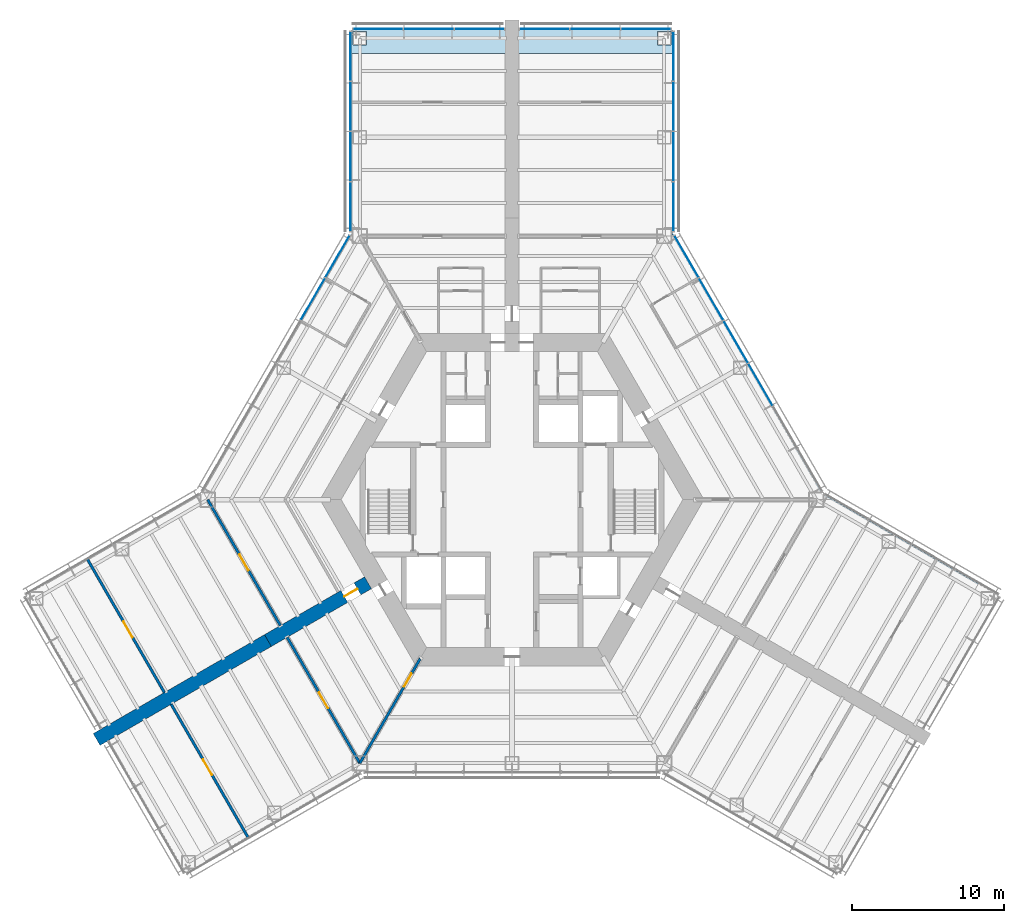
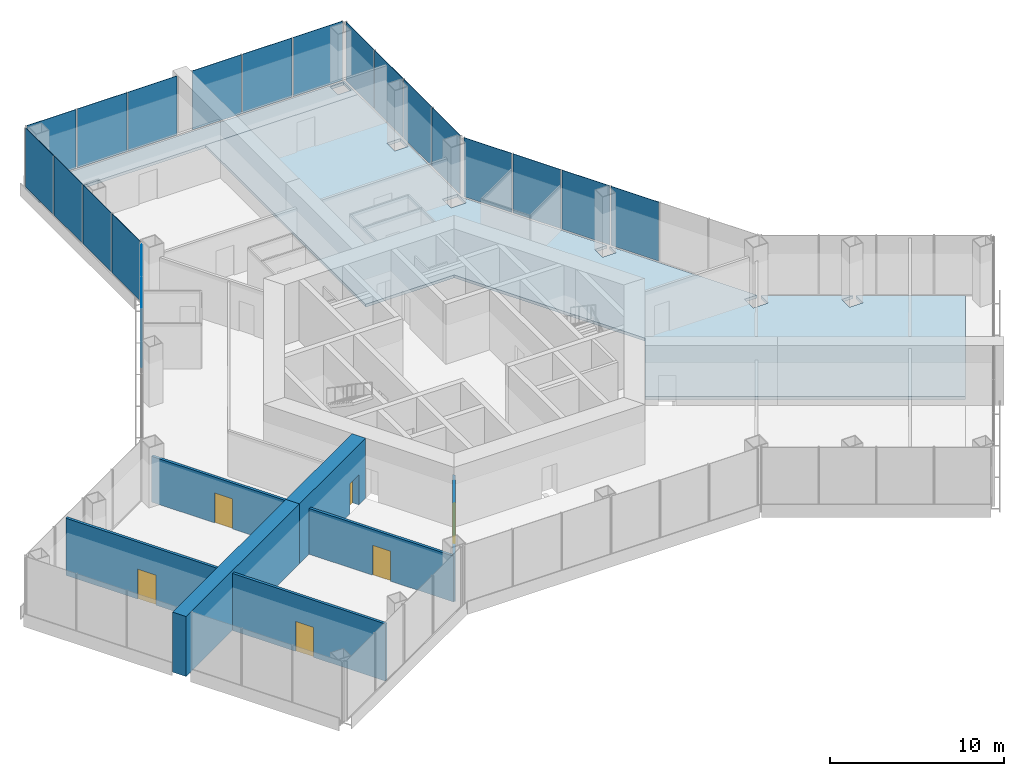
# One storey, part 10 of 16: 20 plates, 7 walls, 6 doors, 2 slabs, 6 openings, 6 elements without a shape of their own.
"""IFC4 building model written with IfcOpenShell, lengths in metres."""

from ifc_helpers import new_model, si_unit, direction, frame, frame_2d, origin, origin_2d, place, context, subcontext, project, spatial, polyline, rectangle, outline, extrude, material, layer, layer_set, type_object, element, fill, aggregate, save


model = new_model("IFC4")

# Units and contexts
model_context = context("Model", 3, precision=1e-05, world=origin(), true_north=direction((0.0, 1.0)))
body_context = subcontext(model_context, "Body", "Model", "MODEL_VIEW")
ifc_project = project(units=[si_unit("LENGTHUNIT", "METRE"), si_unit("AREAUNIT", "SQUARE_METRE"), si_unit("VOLUMEUNIT", "CUBIC_METRE"), si_unit("PLANEANGLEUNIT", "RADIAN"), si_unit("MASSUNIT", "GRAM", prefix="KILO")], contexts=[model_context])

# Site, building, storey
site_placement = place(None, origin())
site = spatial("IfcSite", under=ifc_project, at=site_placement, CompositionType="ELEMENT")
building_placement = place(site_placement, origin())
building = spatial("IfcBuilding", under=site, at=building_placement, Name="Kasaneha Research Tower", CompositionType="ELEMENT")
storey_placement = place(building_placement, frame((0.0, 0.0, 10.0)))
storey = spatial("IfcBuildingStorey", under=building, at=storey_placement, Name="L03", CompositionType="ELEMENT", Elevation=10.0)

# Curtain wall, plates
ifc_material_1 = material(Name="Glass and aluminium", Category="aluminium")
curtain_wall_type = type_object("IfcCurtainWallType", Name="Wet laboratory curtain wall", PredefinedType="USERDEFINED", material=ifc_material_1)
curtain_wall_1_placement = place(storey_placement, origin())
curtain_wall_1 = element("IfcCurtainWall", 1, at=curtain_wall_1_placement, inside=storey, type_object=curtain_wall_type, Name="CW-L1 L03 run 07a", ObjectType="UNITISED CURTAIN WALL", PredefinedType="USERDEFINED")
ifc_material_2 = material(Name="Laminated double glazing", Category="glass")
ifc_layer_1 = layer(ifc_material_2, 0.030029296875)
ifc_layer_set_1 = layer_set([ifc_layer_1], Name="CW-L1 glazed panel")
plate_type = type_object("IfcPlateType", Name="CW-L1 glazed panel", PredefinedType="CURTAIN_PANEL", material=ifc_layer_set_1)
plate_1_placement = place(storey_placement, frame((16.331298828125, 7.554443359375, 0.06494140625), z_axis=(0.0, 0.0, 1.0), x_axis=(-0.49999996188, 0.866025425793, 0.0)))
plate_1 = element("IfcPlate", 2, at=plate_1_placement, type_object=plate_type, Name="CW-L1 panel 3", PredefinedType="CURTAIN_PANEL", context=body_context, shape_type="SweptSolid", body=[
    extrude(rectangle(XDim=3.181396484375, YDim=0.030029296875, at=origin_2d()), origin(), (0.0, 0.0, 1.0), 4.135009765625),
])
plate_2_placement = place(storey_placement, frame((14.7080078125, 10.365966796875, 0.06494140625), z_axis=(0.0, 0.0, 1.0), x_axis=(-0.49999996188, 0.866025425793, 0.0)))
plate_2 = element("IfcPlate", 3, at=plate_2_placement, type_object=plate_type, Name="CW-L1 panel 4", PredefinedType="CURTAIN_PANEL", context=body_context, shape_type="SweptSolid", body=[
    extrude(rectangle(XDim=3.181396484375, YDim=0.030029296875, at=origin_2d()), origin(), (0.0, 0.0, 1.0), 4.135009765625),
])
plate_3_placement = place(storey_placement, frame((13.084716796875, 13.177490234375, 0.06494140625), z_axis=(0.0, 0.0, 1.0), x_axis=(-0.49999996188, 0.866025425793, 0.0)))
plate_3 = element("IfcPlate", 4, at=plate_3_placement, type_object=plate_type, Name="CW-L1 panel 5", PredefinedType="CURTAIN_PANEL", context=body_context, shape_type="SweptSolid", body=[
    extrude(rectangle(XDim=3.181396484375, YDim=0.030029296875, at=origin_2d()), origin(), (0.0, 0.0, 1.0), 4.135009765625),
])
plate_4_placement = place(storey_placement, frame((11.4697265625, 15.974853515625, 0.06494140625), z_axis=(0.0, 0.0, 1.0), x_axis=(-0.49999996188, 0.866025425793, 0.0)))
plate_4 = element("IfcPlate", 5, at=plate_4_placement, type_object=plate_type, Name="CW-L1 panel 6", PredefinedType="CURTAIN_PANEL", context=body_context, shape_type="SweptSolid", body=[
    extrude(rectangle(XDim=3.14892578125, YDim=0.030029296875, at=origin_2d()), origin(), (0.0, 0.0, 1.0), 4.135009765625),
])
aggregate(curtain_wall_1, [plate_1, plate_2, plate_3, plate_4])

curtain_wall_2_placement = place(storey_placement, origin())
curtain_wall_2 = element("IfcCurtainWall", 6, at=curtain_wall_2_placement, inside=storey, type_object=curtain_wall_type, Name="CW-L1 L03 run 08a", ObjectType="UNITISED CURTAIN WALL", PredefinedType="USERDEFINED")
plate_5_placement = place(storey_placement, frame((10.60009765625, 19.25244140625, 0.06494140625), z_axis=(0.0, 0.0, 1.0), x_axis=(0.0, 1.0, 0.0)))
plate_5 = element("IfcPlate", 7, at=plate_5_placement, type_object=plate_type, Name="CW-L1 panel 1", PredefinedType="CURTAIN_PANEL", context=body_context, shape_type="SweptSolid", body=[
    extrude(rectangle(XDim=3.21240234375, YDim=0.030029296875, at=origin_2d()), origin(), (0.0, 0.0, 1.0), 4.135009765625),
])
plate_6_placement = place(storey_placement, frame((10.60009765625, 22.5458984375, 0.06494140625), z_axis=(0.0, 0.0, 1.0), x_axis=(0.0, 1.0, 0.0)))
plate_6 = element("IfcPlate", 8, at=plate_6_placement, type_object=plate_type, Name="CW-L1 panel 2", PredefinedType="CURTAIN_PANEL", context=body_context, shape_type="SweptSolid", body=[
    extrude(rectangle(XDim=3.244873046875, YDim=0.030029296875, at=origin_2d()), origin(), (0.0, 0.0, 1.0), 4.135009765625),
])
plate_7_placement = place(storey_placement, frame((10.60009765625, 25.855712890625, 0.06494140625), z_axis=(0.0, 0.0, 1.0), x_axis=(0.0, 1.0, 0.0)))
plate_7 = element("IfcPlate", 9, at=plate_7_placement, type_object=plate_type, Name="CW-L1 panel 3", PredefinedType="CURTAIN_PANEL", context=body_context, shape_type="SweptSolid", body=[
    extrude(rectangle(XDim=3.244873046875, YDim=0.030029296875, at=origin_2d()), origin(), (0.0, 0.0, 1.0), 4.135009765625),
])
plate_8_placement = place(storey_placement, frame((10.60009765625, 29.1494140625, 0.06494140625), z_axis=(0.0, 0.0, 1.0), x_axis=(0.0, 1.0, 0.0)))
plate_8 = element("IfcPlate", 10, at=plate_8_placement, type_object=plate_type, Name="CW-L1 panel 4", PredefinedType="CURTAIN_PANEL", context=body_context, shape_type="SweptSolid", body=[
    extrude(rectangle(XDim=3.21240234375, YDim=0.030029296875, at=origin_2d()), origin(), (0.0, 0.0, 1.0), 4.135009765625),
])
aggregate(curtain_wall_2, [plate_5, plate_6, plate_7, plate_8])

curtain_wall_3_placement = place(storey_placement, origin())
curtain_wall_3 = element("IfcCurtainWall", 11, at=curtain_wall_3_placement, inside=storey, type_object=curtain_wall_type, Name="CW-L1 L03 run 09a", ObjectType="UNITISED CURTAIN WALL", PredefinedType="USERDEFINED")
plate_9_placement = place(storey_placement, frame((8.808837890625, 30.92041015625, 0.06494140625), z_axis=(0.0, 0.0, 1.0), x_axis=(-1.0, 0.0, 0.0)))
plate_9 = element("IfcPlate", 12, at=plate_9_placement, type_object=plate_type, Name="CW-L1 panel 1", PredefinedType="CURTAIN_PANEL", context=body_context, shape_type="SweptSolid", body=[
    extrude(rectangle(XDim=3.25244140625, YDim=0.030029296875, at=origin_2d()), origin(), (0.0, 0.0, 1.0), 4.135009765625),
])
plate_10_placement = place(storey_placement, frame((5.47509765625, 30.92041015625, 0.06494140625), z_axis=(0.0, 0.0, 1.0), x_axis=(-1.0, 0.0, 0.0)))
plate_10 = element("IfcPlate", 13, at=plate_10_placement, type_object=plate_type, Name="CW-L1 panel 2", PredefinedType="CURTAIN_PANEL", context=body_context, shape_type="SweptSolid", body=[
    extrude(rectangle(XDim=3.284912109375, YDim=0.030029296875, at=origin_2d()), origin(), (0.0, 0.0, 1.0), 4.135009765625),
])
plate_11_placement = place(storey_placement, frame((2.141357421875, 30.92041015625, 0.06494140625), z_axis=(0.0, 0.0, 1.0), x_axis=(-1.0, 0.0, 0.0)))
plate_11 = element("IfcPlate", 14, at=plate_11_placement, type_object=plate_type, Name="CW-L1 panel 3", PredefinedType="CURTAIN_PANEL", context=body_context, shape_type="SweptSolid", body=[
    extrude(rectangle(XDim=3.25244140625, YDim=0.030029296875, at=origin_2d()), origin(), (0.0, 0.0, 1.0), 4.135009765625),
])
aggregate(curtain_wall_3, [plate_9, plate_10, plate_11])

curtain_wall_4_placement = place(storey_placement, origin())
curtain_wall_4 = element("IfcCurtainWall", 15, at=curtain_wall_4_placement, inside=storey, type_object=curtain_wall_type, Name="CW-L1 L03 run 10a", ObjectType="UNITISED CURTAIN WALL", PredefinedType="USERDEFINED")
plate_12_placement = place(storey_placement, frame((-2.141357421875, 30.92041015625, 0.06494140625), z_axis=(0.0, 0.0, 1.0), x_axis=(-1.0, 0.0, 0.0)))
plate_12 = element("IfcPlate", 16, at=plate_12_placement, type_object=plate_type, Name="CW-L1 panel 1", PredefinedType="CURTAIN_PANEL", context=body_context, shape_type="SweptSolid", body=[
    extrude(rectangle(XDim=3.25244140625, YDim=0.030029296875, at=origin_2d()), origin(), (0.0, 0.0, 1.0), 4.135009765625),
])
plate_13_placement = place(storey_placement, frame((-5.47509765625, 30.92041015625, 0.06494140625), z_axis=(0.0, 0.0, 1.0), x_axis=(-1.0, 0.0, 0.0)))
plate_13 = element("IfcPlate", 17, at=plate_13_placement, type_object=plate_type, Name="CW-L1 panel 2", PredefinedType="CURTAIN_PANEL", context=body_context, shape_type="SweptSolid", body=[
    extrude(rectangle(XDim=3.284912109375, YDim=0.030029296875, at=origin_2d()), origin(), (0.0, 0.0, 1.0), 4.135009765625),
])
plate_14_placement = place(storey_placement, frame((-8.808837890625, 30.92041015625, 0.06494140625), z_axis=(0.0, 0.0, 1.0), x_axis=(-1.0, 0.0, 0.0)))
plate_14 = element("IfcPlate", 18, at=plate_14_placement, type_object=plate_type, Name="CW-L1 panel 3", PredefinedType="CURTAIN_PANEL", context=body_context, shape_type="SweptSolid", body=[
    extrude(rectangle(XDim=3.25244140625, YDim=0.030029296875, at=origin_2d()), origin(), (0.0, 0.0, 1.0), 4.135009765625),
])
aggregate(curtain_wall_4, [plate_12, plate_13, plate_14])

curtain_wall_5_placement = place(storey_placement, origin())
curtain_wall_5 = element("IfcCurtainWall", 19, at=curtain_wall_5_placement, inside=storey, type_object=curtain_wall_type, Name="CW-L1 L03 run 11a", ObjectType="UNITISED CURTAIN WALL", PredefinedType="USERDEFINED")
plate_15_placement = place(storey_placement, frame((-10.60009765625, 29.1494140625, 0.06494140625), z_axis=(0.0, 0.0, 1.0), x_axis=(0.0, -1.0, 0.0)))
plate_15 = element("IfcPlate", 20, at=plate_15_placement, type_object=plate_type, Name="CW-L1 panel 1", PredefinedType="CURTAIN_PANEL", context=body_context, shape_type="SweptSolid", body=[
    extrude(rectangle(XDim=3.21240234375, YDim=0.030029296875, at=origin_2d()), origin(), (0.0, 0.0, 1.0), 4.135009765625),
])
plate_16_placement = place(storey_placement, frame((-10.60009765625, 25.855712890625, 0.06494140625), z_axis=(0.0, 0.0, 1.0), x_axis=(0.0, -1.0, 0.0)))
plate_16 = element("IfcPlate", 21, at=plate_16_placement, type_object=plate_type, Name="CW-L1 panel 2", PredefinedType="CURTAIN_PANEL", context=body_context, shape_type="SweptSolid", body=[
    extrude(rectangle(XDim=3.244873046875, YDim=0.030029296875, at=origin_2d()), origin(), (0.0, 0.0, 1.0), 4.135009765625),
])
plate_17_placement = place(storey_placement, frame((-10.60009765625, 22.5458984375, 0.06494140625), z_axis=(0.0, 0.0, 1.0), x_axis=(0.0, -1.0, 0.0)))
plate_17 = element("IfcPlate", 22, at=plate_17_placement, type_object=plate_type, Name="CW-L1 panel 3", PredefinedType="CURTAIN_PANEL", context=body_context, shape_type="SweptSolid", body=[
    extrude(rectangle(XDim=3.244873046875, YDim=0.030029296875, at=origin_2d()), origin(), (0.0, 0.0, 1.0), 4.135009765625),
])
plate_18_placement = place(storey_placement, frame((-10.60009765625, 19.25244140625, 0.06494140625), z_axis=(0.0, 0.0, 1.0), x_axis=(0.0, -1.0, 0.0)))
plate_18 = element("IfcPlate", 23, at=plate_18_placement, type_object=plate_type, Name="CW-L1 panel 4", PredefinedType="CURTAIN_PANEL", context=body_context, shape_type="SweptSolid", body=[
    extrude(rectangle(XDim=3.21240234375, YDim=0.030029296875, at=origin_2d()), origin(), (0.0, 0.0, 1.0), 4.135009765625),
])
aggregate(curtain_wall_5, [plate_15, plate_16, plate_17, plate_18])

curtain_wall_6_placement = place(storey_placement, origin())
curtain_wall_6 = element("IfcCurtainWall", 24, at=curtain_wall_6_placement, inside=storey, type_object=curtain_wall_type, Name="CW-L1 L03 run 12a", ObjectType="UNITISED CURTAIN WALL", PredefinedType="USERDEFINED")
plate_19_placement = place(storey_placement, frame((-11.4697265625, 15.974853515625, 0.06494140625), z_axis=(0.0, 0.0, 1.0), x_axis=(-0.49999996188, -0.866025425793, 0.0)))
plate_19 = element("IfcPlate", 25, at=plate_19_placement, type_object=plate_type, Name="CW-L1 panel 1", PredefinedType="CURTAIN_PANEL", context=body_context, shape_type="SweptSolid", body=[
    extrude(rectangle(XDim=3.14892578125, YDim=0.030029296875, at=origin_2d()), origin(), (0.0, 0.0, 1.0), 4.135009765625),
])
plate_20_placement = place(storey_placement, frame((-13.084716796875, 13.177490234375, 0.06494140625), z_axis=(0.0, 0.0, 1.0), x_axis=(-0.49999996188, -0.866025425793, 0.0)))
plate_20 = element("IfcPlate", 26, at=plate_20_placement, type_object=plate_type, Name="CW-L1 panel 2", PredefinedType="CURTAIN_PANEL", context=body_context, shape_type="SweptSolid", body=[
    extrude(rectangle(XDim=3.181396484375, YDim=0.030029296875, at=origin_2d()), origin(), (0.0, 0.0, 1.0), 4.135009765625),
])
aggregate(curtain_wall_6, [plate_19, plate_20])

# Slabs
ifc_material_3 = material(Name="Concrete Fc24", Category="concrete")
ifc_layer_2 = layer(ifc_material_3, 0.199951171875)
ifc_layer_set_2 = layer_set([ifc_layer_2], Name="Floor slab 200")
slab_type = type_object("IfcSlabType", Name="Floor slab 200", PredefinedType="FLOOR", material=ifc_layer_set_2)
slab_1_placement = place(storey_placement, frame((0.0, 0.0, -0.199951171875)))
element("IfcSlab", 27, at=slab_1_placement, inside=storey, type_object=slab_type, Name="Floor slab L03 3", PredefinedType="FLOOR", context=body_context, shape_type="SweptSolid", body=[
    extrude(outline(polyline([(10.550048828125, 29.310546875), (0.449951171875, 29.310546875), (0.449951171875, 29.320556640625), (-0.449951171875, 29.320556640625), (-0.449951171875, 29.310546875), (-10.550048828125, 29.310546875), (-10.550048828125, 30.87060546875), (10.550048828125, 30.87060546875), (10.550048828125, 29.310546875)]), holes=[polyline([(-9.550048828125, 29.87060546875), (-9.550048828125, 30.7705078125), (-10.449951171875, 30.7705078125), (-10.449951171875, 29.87060546875), (-9.550048828125, 29.87060546875)]), polyline([(9.550048828125, 29.87060546875), (10.449951171875, 29.87060546875), (10.449951171875, 30.7705078125), (9.550048828125, 30.7705078125), (9.550048828125, 29.87060546875)])]), origin(), (0.0, 0.0, 1.0), 0.199951171875),
])
slab_2_placement = place(storey_placement, frame((0.0, 0.0, -0.199951171875)))
element("IfcSlab", 28, at=slab_2_placement, inside=storey, type_object=slab_type, Name="Floor slab L03 5", PredefinedType="FLOOR", context=body_context, shape_type="SweptSolid", body=[
    extrude(outline(polyline([(9.686279296875, -5.07275390625), (12.614990234375, 0.0), (6.3076171875, 10.925048828125), (0.449951171875, 10.925048828125), (0.449951171875, 29.310546875), (10.550048828125, 29.310546875), (10.550048828125, 17.4677734375), (15.375244140625, 9.1103515625), (14.550048828125, 9.1103515625), (14.550048828125, 8.210205078125), (15.449951171875, 8.210205078125), (15.449951171875, 8.980712890625), (20.346435546875, 0.5), (19.5, 0.5), (19.5, -0.5), (20.5, -0.5), (20.5, 0.346435546875), (25.083740234375, -2.300048828125), (24.313232421875, -2.300048828125), (24.313232421875, -3.199951171875), (25.213134765625, -3.199951171875), (25.213134765625, -2.374755859375), (30.65869140625, -5.518798828125), (25.608642578125, -14.265625), (9.686279296875, -5.07275390625)]), holes=[polyline([(9.5, 16.820556640625), (10.5, 16.820556640625), (10.5, 17.820556640625), (9.5, 17.820556640625), (9.5, 16.820556640625)]), polyline([(9.550048828125, 23.37060546875), (10.449951171875, 23.37060546875), (10.449951171875, 24.2705078125), (9.550048828125, 24.2705078125), (9.550048828125, 23.37060546875)])]), origin(), (0.0, 0.0, 1.0), 0.199951171875),
])

# Wall, opening, door
ifc_material_4 = material(Name="Gypsum board on steel studs, two layers each side", Category="steel")
ifc_layer_3 = layer(ifc_material_4, 0.175048828125)
ifc_layer_set_3 = layer_set([ifc_layer_3], Name="Laboratory fire partition 175")
wall_type_1 = type_object("IfcWallType", Name="Laboratory fire partition 175", PredefinedType="PARTITIONING", material=ifc_layer_set_3)
wall_1_placement = place(storey_placement, frame((-15.22509765625, -8.2705078125, 0.0), z_axis=(0.0, 0.0, 1.0), x_axis=(-0.499993908199, 0.866028920859, 0.0)))
wall_1 = element("IfcWall", 29, at=wall_1_placement, inside=storey, type_object=wall_type_1, Name="Laboratory fire partition LABB-N L03", PredefinedType="PARTITIONING", context=body_context, shape_type="SweptSolid", body=[
    extrude(rectangle(XDim=9.5498046875, YDim=0.175048828125, at=frame_2d((4.77490234375, 0.0))), origin(), (0.0, 0.0, 1.0), 3.2080078125),
])
opening_1_placement = place(wall_1_placement, frame((4.175048828125, 0.0, 0.0)))
opening_1 = element("IfcOpeningElement", 30, at=opening_1_placement, cuts=wall_1, Name="Opening L03-D36", PredefinedType="OPENING", context=body_context, shape_type="SweptSolid", body=[
    extrude(rectangle(XDim=1.199951171875, YDim=2.10009765625, at=frame_2d((0.60009765625, 1.050048828125))), frame((0.0, 0.09765625, 0.0), z_axis=(0.0, -1.0, 0.0), x_axis=(1.0, 0.0, 0.0)), (0.0, 0.0, 1.0), 0.195068359375),
])
ifc_material_5 = material(Name="Steel", Category="steel")
door_type_1 = type_object("IfcDoorType", Name="Laboratory door FD60 1200x2100", OperationType="DOUBLE_DOOR_SINGLE_SWING", PredefinedType="DOOR", material=ifc_material_5)
door_1_placement = place(opening_1_placement, origin())
door_1 = element("IfcDoor", 31, at=door_1_placement, inside=storey, type_object=door_type_1, Name="Laboratory door L03-D36", OperationType="DOUBLE_DOOR_SINGLE_SWING", OverallHeight=2.10009765625, OverallWidth=1.199951171875, PredefinedType="DOOR", context=body_context, shape_type="SweptSolid", body=[
    extrude(rectangle(XDim=1.199951171875, YDim=2.10009765625, at=frame_2d((0.60009765625, 1.050048828125))), frame((0.0, 0.02490234375, 0.0), z_axis=(0.0, -1.0, 0.0), x_axis=(1.0, 0.0, 0.0)), (0.0, 0.0, 1.0), 0.050048828125),
])
fill(opening_1, door_1)

wall_2_placement = place(storey_placement, frame((-22.845947265625, -12.670654296875, 0.0), z_axis=(0.0, 0.0, 1.0), x_axis=(-0.50000186303, 0.866024328161, 0.0)))
wall_2 = element("IfcWall", 32, at=wall_2_placement, inside=storey, type_object=wall_type_1, Name="Laboratory fire partition SUPB-N L03", PredefinedType="PARTITIONING", context=body_context, shape_type="SweptSolid", body=[
    extrude(rectangle(XDim=10.13525390625, YDim=0.175048828125, at=frame_2d((5.067626953125, 0.0))), origin(), (0.0, 0.0, 1.0), 4.0),
])
opening_2_placement = place(wall_2_placement, frame((4.175048828125, 0.0, 0.0)))
opening_2 = element("IfcOpeningElement", 33, at=opening_2_placement, cuts=wall_2, Name="Opening L03-D39", PredefinedType="OPENING", context=body_context, shape_type="SweptSolid", body=[
    extrude(rectangle(XDim=1.199951171875, YDim=2.10009765625, at=frame_2d((0.60009765625, 1.050048828125))), frame((0.0, 0.09765625, 0.0), z_axis=(0.0, -1.0, 0.0), x_axis=(1.0, 0.0, 0.0)), (0.0, 0.0, 1.0), 0.195068359375),
])
door_2_placement = place(opening_2_placement, origin())
door_2 = element("IfcDoor", 34, at=door_2_placement, inside=storey, type_object=door_type_1, Name="Laboratory support room door L03-D39", OperationType="DOUBLE_DOOR_SINGLE_SWING", OverallHeight=2.10009765625, OverallWidth=1.199951171875, PredefinedType="DOOR", context=body_context, shape_type="SweptSolid", body=[
    extrude(rectangle(XDim=1.199951171875, YDim=2.10009765625, at=frame_2d((0.60009765625, 1.050048828125))), frame((0.0, 0.02490234375, 0.0), z_axis=(0.0, -1.0, 0.0), x_axis=(1.0, 0.0, 0.0)), (0.0, 0.0, 1.0), 0.050048828125),
])
fill(opening_2, door_2)

wall_3_placement = place(storey_placement, frame((-14.77490234375, -9.050048828125, 0.0), z_axis=(0.0, 0.0, 1.0), x_axis=(0.499993908199, -0.866028920859, 0.0)))
wall_3 = element("IfcWall", 35, at=wall_3_placement, inside=storey, type_object=wall_type_1, Name="Laboratory fire partition LABB-S L03", PredefinedType="PARTITIONING", context=body_context, shape_type="SweptSolid", body=[
    extrude(rectangle(XDim=9.5498046875, YDim=0.175048828125, at=frame_2d((4.77490234375, 0.0))), origin(), (0.0, 0.0, 1.0), 3.2080078125),
])
opening_3_placement = place(wall_3_placement, frame((4.175048828125, 0.0, 0.0)))
opening_3 = element("IfcOpeningElement", 36, at=opening_3_placement, cuts=wall_3, Name="Opening L03-D40", PredefinedType="OPENING", context=body_context, shape_type="SweptSolid", body=[
    extrude(rectangle(XDim=1.199951171875, YDim=2.10009765625, at=frame_2d((0.60009765625, 1.050048828125))), frame((0.0, 0.09765625, 0.0), z_axis=(0.0, -1.0, 0.0), x_axis=(1.0, 0.0, 0.0)), (0.0, 0.0, 1.0), 0.195068359375),
])
door_3_placement = place(opening_3_placement, origin())
door_3 = element("IfcDoor", 37, at=door_3_placement, inside=storey, type_object=door_type_1, Name="Laboratory door L03-D40", OperationType="DOUBLE_DOOR_SINGLE_SWING", OverallHeight=2.10009765625, OverallWidth=1.199951171875, PredefinedType="DOOR", context=body_context, shape_type="SweptSolid", body=[
    extrude(rectangle(XDim=1.199951171875, YDim=2.10009765625, at=frame_2d((0.60009765625, 1.050048828125))), frame((0.0, 0.02490234375, 0.0), z_axis=(0.0, -1.0, 0.0), x_axis=(1.0, 0.0, 0.0)), (0.0, 0.0, 1.0), 0.050048828125),
])
fill(opening_3, door_3)

wall_4_placement = place(storey_placement, frame((-22.39599609375, -13.449951171875, 0.0), z_axis=(0.0, 0.0, 1.0), x_axis=(0.500005203629, -0.866022399447, 0.0)))
wall_4 = element("IfcWall", 38, at=wall_4_placement, inside=storey, type_object=wall_type_1, Name="Laboratory fire partition SUPB-S L03", PredefinedType="PARTITIONING", context=body_context, shape_type="SweptSolid", body=[
    extrude(rectangle(XDim=10.14013671875, YDim=0.175048828125, at=frame_2d((5.070068359375, 0.0))), origin(), (0.0, 0.0, 1.0), 4.0),
])
opening_4_placement = place(wall_4_placement, frame((4.175048828125, 0.0, 0.0)))
opening_4 = element("IfcOpeningElement", 39, at=opening_4_placement, cuts=wall_4, Name="Opening L03-D41", PredefinedType="OPENING", context=body_context, shape_type="SweptSolid", body=[
    extrude(rectangle(XDim=1.199951171875, YDim=2.10009765625, at=frame_2d((0.60009765625, 1.050048828125))), frame((0.0, 0.09765625, 0.0), z_axis=(0.0, -1.0, 0.0), x_axis=(1.0, 0.0, 0.0)), (0.0, 0.0, 1.0), 0.195068359375),
])
door_4_placement = place(opening_4_placement, origin())
door_4 = element("IfcDoor", 40, at=door_4_placement, inside=storey, type_object=door_type_1, Name="Laboratory support room door L03-D41", OperationType="DOUBLE_DOOR_SINGLE_SWING", OverallHeight=2.10009765625, OverallWidth=1.199951171875, PredefinedType="DOOR", context=body_context, shape_type="SweptSolid", body=[
    extrude(rectangle(XDim=1.199951171875, YDim=2.10009765625, at=frame_2d((0.60009765625, 1.050048828125))), frame((0.0, 0.02490234375, 0.0), z_axis=(0.0, -1.0, 0.0), x_axis=(1.0, 0.0, 0.0)), (0.0, 0.0, 1.0), 0.050048828125),
])
fill(opening_4, door_4)

ifc_material_6 = material(Name="Concrete Fc100", Category="concrete")
ifc_layer_4 = layer(ifc_material_6, 0.89990234375)
ifc_layer_set_4 = layer_set([ifc_layer_4], Name="Spine wall 900 Fc100")
wall_type_2 = type_object("IfcWallType", Name="Spine wall 900 Fc100", PredefinedType="SHEAR", material=ifc_layer_set_4)
wall_5_placement = place(storey_placement, frame((-9.46142578125, -5.46240234375, 0.0), z_axis=(0.0, 0.0, 1.0), x_axis=(-0.866019116917, -0.500010889016, 0.0)))
wall_5 = element("IfcWall", 41, at=wall_5_placement, inside=storey, type_object=wall_type_2, Name="Spine wall B L03", PredefinedType="SHEAR", context=body_context, shape_type="SweptSolid", body=[
    extrude(rectangle(XDim=7.595458984375, YDim=0.89990234375, at=frame_2d((3.7978515625, 0.0))), origin(), (0.0, 0.0, 1.0), 4.199951171875),
])
opening_5_placement = place(wall_5_placement, frame((0.800048828125, 0.0, 0.0)))
opening_5 = element("IfcOpeningElement", 42, at=opening_5_placement, cuts=wall_5, Name="Opening L03-D18", PredefinedType="OPENING", context=body_context, shape_type="SweptSolid", body=[
    extrude(rectangle(XDim=1.0, YDim=2.10009765625, at=frame_2d((0.5, 1.050048828125))), frame((0.0, 0.4599609375, 0.0), z_axis=(0.0, -1.0, 0.0), x_axis=(1.0, 0.0, 0.0)), (0.0, 0.0, 1.0), 0.919921875),
])
ifc_material_7 = material(Name="Steel", Category="steel")
door_type_2 = type_object("IfcDoorType", Name="Specified fire door FD60 1000x2100", OperationType="NOTDEFINED", PredefinedType="DOOR", material=ifc_material_7)
door_5_placement = place(opening_5_placement, origin())
door_5 = element("IfcDoor", 43, at=door_5_placement, inside=storey, type_object=door_type_2, Name="Spine doorway B L03-D18", OperationType="SINGLE_SWING_LEFT", OverallHeight=2.10009765625, OverallWidth=1.0, PredefinedType="DOOR", context=body_context, shape_type="SweptSolid", body=[
    extrude(rectangle(XDim=1.0, YDim=2.10009765625, at=frame_2d((0.5, 1.050048828125))), frame((0.0, 0.02490234375, 0.0), z_axis=(0.0, -1.0, 0.0), x_axis=(1.0, 0.0, 0.0)), (0.0, 0.0, 1.0), 0.050048828125),
])
fill(opening_5, door_5)

# Wall
wall_6_placement = place(storey_placement, frame((-16.039306640625, -9.26025390625, 0.0), z_axis=(0.0, 0.0, 1.0), x_axis=(-0.866024837091, -0.50000098154, 0.0)))
element("IfcWall", 44, at=wall_6_placement, inside=storey, type_object=wall_type_2, Name="Spine wall B wing L03", PredefinedType="SHEAR", context=body_context, shape_type="SweptSolid", body=[
    extrude(rectangle(XDim=13.0, YDim=0.89990234375, at=frame_2d((6.5, 0.0))), origin(), (0.0, 0.0, 1.0), 4.199951171875),
])

# Wall, opening, door
ifc_material_8 = material(Name="Gypsum board on steel studs, two layers each side", Category="steel")
ifc_layer_5 = layer(ifc_material_8, 0.175048828125)
ifc_layer_set_5 = layer_set([ifc_layer_5], Name="Tenancy fire partition 175")
wall_type_3 = type_object("IfcWallType", Name="Tenancy fire partition 175", PredefinedType="PARTITIONING", material=ifc_layer_set_5)
wall_7_placement = place(storey_placement, frame((-6.03515625, -10.453125, 0.0), z_axis=(0.0, 0.0, 1.0), x_axis=(-0.499993402427, -0.866029212861, 0.0)))
wall_7 = element("IfcWall", 45, at=wall_7_placement, inside=storey, type_object=wall_type_3, Name="Tenancy fire partition T240 L03", PredefinedType="PARTITIONING", context=body_context, shape_type="SweptSolid", body=[
    extrude(outline(polyline([(-0.050537109375, -0.08740234375), (1.12939453125, -0.08740234375), (2.12939453125, -0.08740234375), (7.9296875, -0.08740234375), (7.9296875, 0.08740234375), (2.12939453125, 0.08740234375), (1.12939453125, 0.08740234375), (0.050537109375, 0.08740234375), (-0.050537109375, -0.08740234375)])), origin(), (0.0, 0.0, 1.0), 3.300048828125),
])
opening_6_placement = place(wall_7_placement, frame((1.12939453125, 0.0, 0.0)))
opening_6 = element("IfcOpeningElement", 46, at=opening_6_placement, cuts=wall_7, Name="Opening L03-D26", PredefinedType="OPENING", context=body_context, shape_type="SweptSolid", body=[
    extrude(rectangle(XDim=1.0, YDim=2.10009765625, at=frame_2d((0.5, 1.050048828125))), frame((0.0, 0.09765625, 0.0), z_axis=(0.0, -1.0, 0.0), x_axis=(1.0, 0.0, 0.0)), (0.0, 0.0, 1.0), 0.195068359375),
])
ifc_material_9 = material(Name="Steel", Category="steel")
door_type_3 = type_object("IfcDoorType", Name="Suite entrance door FD60 1000x2100", OperationType="NOTDEFINED", PredefinedType="DOOR", material=ifc_material_9)
door_6_placement = place(opening_6_placement, origin())
door_6 = element("IfcDoor", 47, at=door_6_placement, inside=storey, type_object=door_type_3, Name="Connecting door L03-D26", OperationType="SINGLE_SWING_LEFT", OverallHeight=2.10009765625, OverallWidth=1.0, PredefinedType="DOOR", context=body_context, shape_type="SweptSolid", body=[
    extrude(rectangle(XDim=1.0, YDim=2.10009765625, at=frame_2d((0.5, 1.050048828125))), frame((0.0, 0.02490234375, 0.0), z_axis=(0.0, -1.0, 0.0), x_axis=(1.0, 0.0, 0.0)), (0.0, 0.0, 1.0), 0.050048828125),
])
fill(opening_6, door_6)

save(model, "model.ifc")
